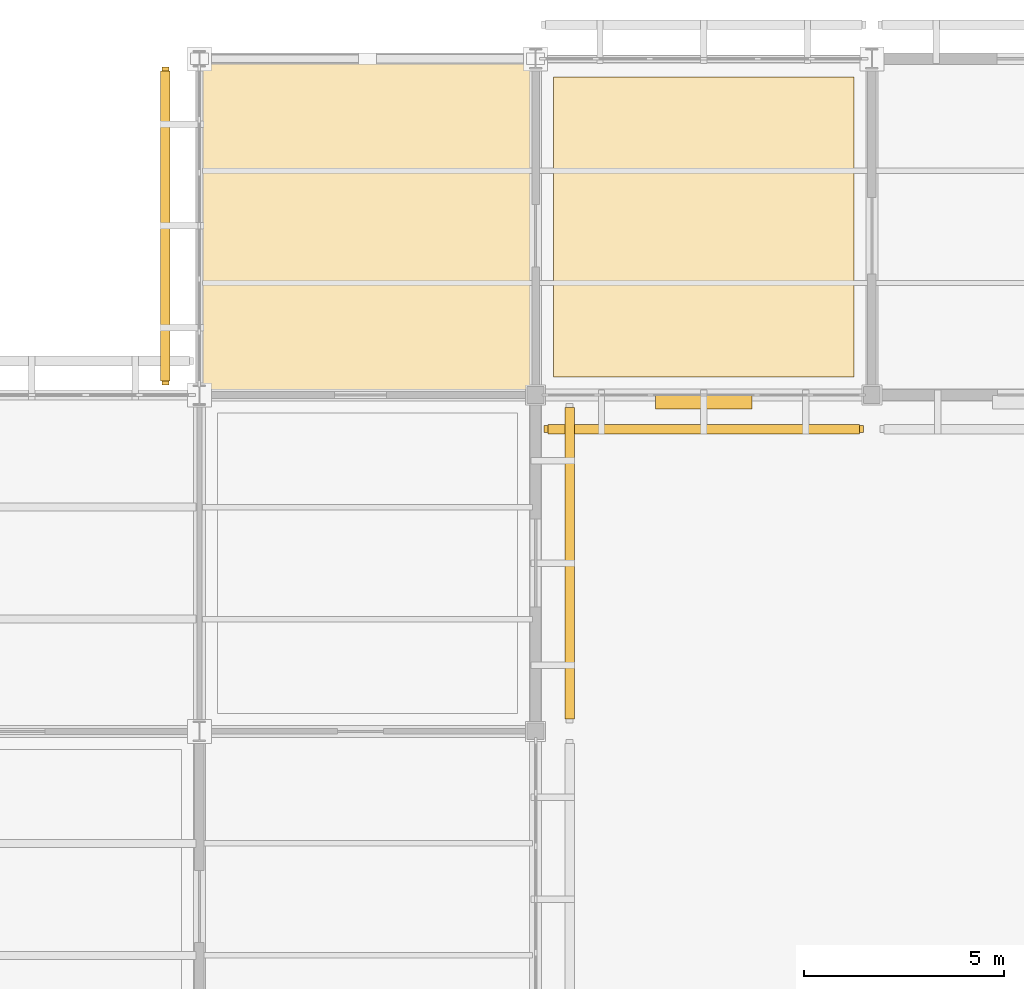
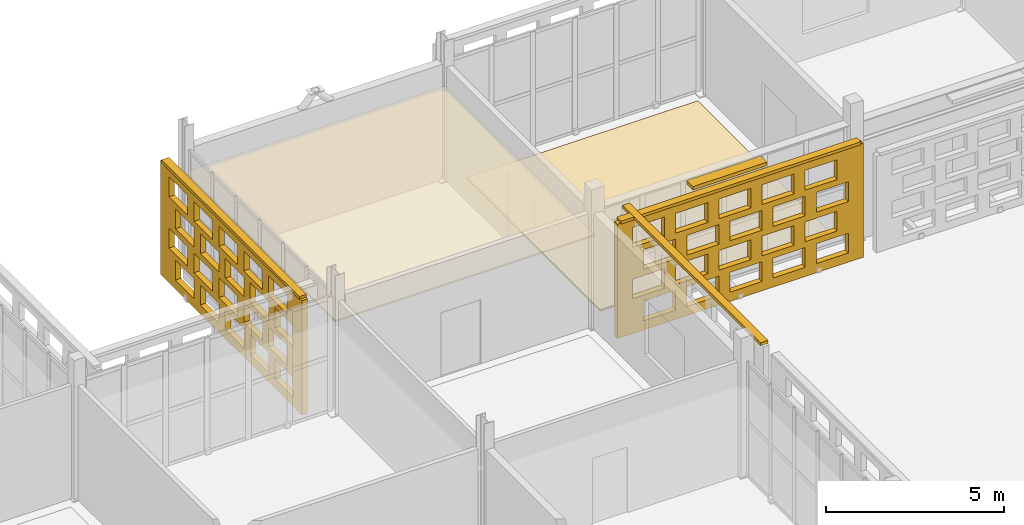
# One storey, part 168 of 203: 4 coverings, 4 shading devices, 40 openings.
"""IFC4 building model written with IfcOpenShell, lengths in metres."""

from ifc_helpers import new_model, si_unit, direction, frame, frame_2d, origin, origin_2d, place, context, subcontext, project, spatial, rectangle, extrude, material, layer, layer_set, type_object, element, save


model = new_model("IFC4")

# Units and contexts
model_context = context("Model", 3, precision=1e-05, world=origin(), true_north=direction((0.0, 1.0)))
body_context = subcontext(model_context, "Body", "Model", "MODEL_VIEW")
ifc_project = project(units=[si_unit("LENGTHUNIT", "METRE"), si_unit("AREAUNIT", "SQUARE_METRE"), si_unit("VOLUMEUNIT", "CUBIC_METRE"), si_unit("PLANEANGLEUNIT", "RADIAN"), si_unit("MASSUNIT", "GRAM", prefix="KILO")], contexts=[model_context])

# Site, building, storey
site_placement = place(None, origin())
site = spatial("IfcSite", under=ifc_project, at=site_placement, CompositionType="ELEMENT")
building_placement = place(site_placement, origin())
building = spatial("IfcBuilding", under=site, at=building_placement, Name="Varnapada Polytechnic", CompositionType="ELEMENT")
storey_placement = place(building_placement, frame((0.0, 0.0, 4.800048828125)))
storey = spatial("IfcBuildingStorey", under=building, at=storey_placement, Name="L01", CompositionType="ELEMENT", Elevation=4.800048828125)

# Covering
ifc_material_1 = material(Name="Anti-Static Raised Laboratory Flooring")
ifc_layer_1 = layer(ifc_material_1, 0.06005859375)
ifc_layer_set_1 = layer_set([ifc_layer_1], Name="Anti-Static Raised Laboratory Flooring")
covering_type_1 = type_object("IfcCoveringType", Name="Floor Finish FLR-02", PredefinedType="FLOORING", material=ifc_layer_set_1)
covering_1_placement = place(storey_placement, frame((63.0, 121.800048828125, 0.0), z_axis=(0.0, 0.0, 1.0), x_axis=(1.0, 0.0, 0.0)))
element("IfcCovering", 1, at=covering_1_placement, inside=storey, type_object=covering_type_1, Name="L01 floor finish panel (8,15)", PredefinedType="FLOORING", context=body_context, shape_type="SweptSolid", body=[
    extrude(rectangle(XDim=7.5, YDim=7.5, at=origin_2d()), origin(), (0.0, 0.0, 1.0), 0.06005859375),
])

# Shading device
ifc_material_2 = material(Name="Anodised aluminium", Category="aluminium")
ifc_layer_2 = layer(ifc_material_2, 0.35009765625)
ifc_layer_set_2 = layer_set([ifc_layer_2], Name="Anodised aluminium")
shading_device_type_1 = type_object("IfcShadingDeviceType", Name="Solar Louvre LVR-01", PredefinedType="JALOUSIE", material=ifc_layer_set_2)
shading_device_1_placement = place(storey_placement, frame((63.0, 117.419921875, 3.760009765625), z_axis=(0.0, 0.0, 1.0), x_axis=(-1.0, 0.0, 0.0)))
element("IfcShadingDevice", 2, at=shading_device_1_placement, inside=storey, type_object=shading_device_type_1, Name="L01 aluminium sun louvre 58", PredefinedType="JALOUSIE", context=body_context, shape_type="SweptSolid", body=[
    extrude(rectangle(XDim=2.39990234375, YDim=0.340087890625, at=origin_2d()), origin(), (0.0, 0.0, 1.0), 0.1201171875),
])

# Covering
ifc_material_3 = material(Name="Micro-Perforated Gypsum Acoustic Ceiling")
ifc_layer_3 = layer(ifc_material_3, 0.044921875)
ifc_layer_set_3 = layer_set([ifc_layer_3], Name="Micro-Perforated Gypsum Acoustic Ceiling")
covering_type_2 = type_object("IfcCoveringType", Name="Suspended Ceiling CLG-04", PredefinedType="CEILING", material=ifc_layer_set_3)
covering_2_placement = place(storey_placement, frame((54.60009765625, 121.800048828125, 3.027587890625), z_axis=(0.0, 0.0, 1.0), x_axis=(1.0, 0.0, 0.0)))
element("IfcCovering", 3, at=covering_2_placement, inside=storey, type_object=covering_type_2, Name="L01 suspended acoustic ceiling (7,15)", PredefinedType="CEILING", context=body_context, shape_type="SweptSolid", body=[
    extrude(rectangle(XDim=8.419921875, YDim=8.419921875, at=origin_2d()), origin(), (0.0, 0.0, 1.0), 0.044921875),
])

# Covering, openings
ifc_material_4 = material(Name="Earth-toned architectural terracotta screen block", Category="masonry")
ifc_layer_4 = layer(ifc_material_4, 0.1201171875)
ifc_layer_set_4 = layer_set([ifc_layer_4], Name="Earth-toned architectural terracotta screen block")
covering_type_3 = type_object("IfcCoveringType", Name="Terracotta Screen Cladding CLD-01", PredefinedType="CLADDING", material=ifc_layer_set_4)
covering_3_placement = place(storey_placement, frame((49.550048828125, 117.85009765625, 0.0), z_axis=(0.0, 0.0, 1.0), x_axis=(0.0, 1.0, 0.0)))
covering_3 = element("IfcCovering", 4, at=covering_3_placement, inside=storey, type_object=covering_type_3, Name="L01 perforated terracotta block screen (53)", PredefinedType="CLADDING", context=body_context, shape_type="SweptSolid", body=[
    extrude(rectangle(XDim=7.949951171875, YDim=0.179931640625, at=frame_2d((3.97509765625, 0.0))), origin(), (0.0, 0.0, 1.0), 3.919921875),
])
opening_1_placement = place(covering_3_placement, frame((0.47509765625, 0.0, 0.313720703125)))
element("IfcOpeningElement", 5, at=opening_1_placement, cuts=covering_3, Name="Screen perforation TBS-L01-052.1", PredefinedType="OPENING", context=body_context, shape_type="SweptSolid", body=[
    extrude(rectangle(XDim=1.0400390625, YDim=0.679931640625, at=frame_2d((0.52001953125, 0.33984375))), frame((0.0, 0.099853515625, 0.0), z_axis=(0.0, -1.0, 0.0), x_axis=(1.0, 0.0, 0.0)), (0.0, 0.0, 1.0), 0.199951171875),
])
opening_2_placement = place(covering_3_placement, frame((1.875, 0.0, 0.313720703125)))
element("IfcOpeningElement", 6, at=opening_2_placement, cuts=covering_3, Name="Screen perforation TBS-L01-052.2", PredefinedType="OPENING", context=body_context, shape_type="SweptSolid", body=[
    extrude(rectangle(XDim=1.0400390625, YDim=0.679931640625, at=frame_2d((0.52001953125, 0.33984375))), frame((0.0, 0.099853515625, 0.0), z_axis=(0.0, -1.0, 0.0), x_axis=(1.0, 0.0, 0.0)), (0.0, 0.0, 1.0), 0.199951171875),
])
opening_3_placement = place(covering_3_placement, frame((3.27490234375, 0.0, 0.313720703125)))
element("IfcOpeningElement", 7, at=opening_3_placement, cuts=covering_3, Name="Screen perforation TBS-L01-052.3", PredefinedType="OPENING", context=body_context, shape_type="SweptSolid", body=[
    extrude(rectangle(XDim=1.0400390625, YDim=0.679931640625, at=frame_2d((0.52001953125, 0.33984375))), frame((0.0, 0.099853515625, 0.0), z_axis=(0.0, -1.0, 0.0), x_axis=(1.0, 0.0, 0.0)), (0.0, 0.0, 1.0), 0.199951171875),
])
opening_4_placement = place(covering_3_placement, frame((4.675048828125, 0.0, 0.313720703125)))
element("IfcOpeningElement", 8, at=opening_4_placement, cuts=covering_3, Name="Screen perforation TBS-L01-052.4", PredefinedType="OPENING", context=body_context, shape_type="SweptSolid", body=[
    extrude(rectangle(XDim=1.0400390625, YDim=0.679931640625, at=frame_2d((0.52001953125, 0.33984375))), frame((0.0, 0.099853515625, 0.0), z_axis=(0.0, -1.0, 0.0), x_axis=(1.0, 0.0, 0.0)), (0.0, 0.0, 1.0), 0.199951171875),
])
opening_5_placement = place(covering_3_placement, frame((6.074951171875, 0.0, 0.313720703125)))
element("IfcOpeningElement", 9, at=opening_5_placement, cuts=covering_3, Name="Screen perforation TBS-L01-052.5", PredefinedType="OPENING", context=body_context, shape_type="SweptSolid", body=[
    extrude(rectangle(XDim=1.0400390625, YDim=0.679931640625, at=frame_2d((0.52001953125, 0.33984375))), frame((0.0, 0.099853515625, 0.0), z_axis=(0.0, -1.0, 0.0), x_axis=(1.0, 0.0, 0.0)), (0.0, 0.0, 1.0), 0.199951171875),
])
opening_6_placement = place(covering_3_placement, frame((0.8349609375, 0.0, 1.195556640625)))
element("IfcOpeningElement", 10, at=opening_6_placement, cuts=covering_3, Name="Screen perforation TBS-L01-052.6", PredefinedType="OPENING", context=body_context, shape_type="SweptSolid", body=[
    extrude(rectangle(XDim=1.0400390625, YDim=0.679931640625, at=frame_2d((0.52001953125, 0.33984375))), frame((0.0, 0.099853515625, 0.0), z_axis=(0.0, -1.0, 0.0), x_axis=(1.0, 0.0, 0.0)), (0.0, 0.0, 1.0), 0.199951171875),
])
opening_7_placement = place(covering_3_placement, frame((2.235107421875, 0.0, 1.195556640625)))
element("IfcOpeningElement", 11, at=opening_7_placement, cuts=covering_3, Name="Screen perforation TBS-L01-052.7", PredefinedType="OPENING", context=body_context, shape_type="SweptSolid", body=[
    extrude(rectangle(XDim=1.0400390625, YDim=0.679931640625, at=frame_2d((0.52001953125, 0.33984375))), frame((0.0, 0.099853515625, 0.0), z_axis=(0.0, -1.0, 0.0), x_axis=(1.0, 0.0, 0.0)), (0.0, 0.0, 1.0), 0.199951171875),
])
opening_8_placement = place(covering_3_placement, frame((3.635009765625, 0.0, 1.195556640625)))
element("IfcOpeningElement", 12, at=opening_8_placement, cuts=covering_3, Name="Screen perforation TBS-L01-052.8", PredefinedType="OPENING", context=body_context, shape_type="SweptSolid", body=[
    extrude(rectangle(XDim=1.0400390625, YDim=0.679931640625, at=frame_2d((0.52001953125, 0.33984375))), frame((0.0, 0.099853515625, 0.0), z_axis=(0.0, -1.0, 0.0), x_axis=(1.0, 0.0, 0.0)), (0.0, 0.0, 1.0), 0.199951171875),
])
opening_9_placement = place(covering_3_placement, frame((5.034912109375, 0.0, 1.195556640625)))
element("IfcOpeningElement", 13, at=opening_9_placement, cuts=covering_3, Name="Screen perforation TBS-L01-052.9", PredefinedType="OPENING", context=body_context, shape_type="SweptSolid", body=[
    extrude(rectangle(XDim=1.0400390625, YDim=0.679931640625, at=frame_2d((0.52001953125, 0.33984375))), frame((0.0, 0.099853515625, 0.0), z_axis=(0.0, -1.0, 0.0), x_axis=(1.0, 0.0, 0.0)), (0.0, 0.0, 1.0), 0.199951171875),
])
opening_10_placement = place(covering_3_placement, frame((6.43505859375, 0.0, 1.195556640625)))
element("IfcOpeningElement", 14, at=opening_10_placement, cuts=covering_3, Name="Screen perforation TBS-L01-052.10", PredefinedType="OPENING", context=body_context, shape_type="SweptSolid", body=[
    extrude(rectangle(XDim=1.0400390625, YDim=0.679931640625, at=frame_2d((0.52001953125, 0.33984375))), frame((0.0, 0.099853515625, 0.0), z_axis=(0.0, -1.0, 0.0), x_axis=(1.0, 0.0, 0.0)), (0.0, 0.0, 1.0), 0.199951171875),
])
opening_11_placement = place(covering_3_placement, frame((0.47509765625, 0.0, 2.07763671875)))
element("IfcOpeningElement", 15, at=opening_11_placement, cuts=covering_3, Name="Screen perforation TBS-L01-052.11", PredefinedType="OPENING", context=body_context, shape_type="SweptSolid", body=[
    extrude(rectangle(XDim=1.0400390625, YDim=0.679931640625, at=frame_2d((0.52001953125, 0.33984375))), frame((0.0, 0.099853515625, 0.0), z_axis=(0.0, -1.0, 0.0), x_axis=(1.0, 0.0, 0.0)), (0.0, 0.0, 1.0), 0.199951171875),
])
opening_12_placement = place(covering_3_placement, frame((1.875, 0.0, 2.07763671875)))
element("IfcOpeningElement", 16, at=opening_12_placement, cuts=covering_3, Name="Screen perforation TBS-L01-052.12", PredefinedType="OPENING", context=body_context, shape_type="SweptSolid", body=[
    extrude(rectangle(XDim=1.0400390625, YDim=0.679931640625, at=frame_2d((0.52001953125, 0.33984375))), frame((0.0, 0.099853515625, 0.0), z_axis=(0.0, -1.0, 0.0), x_axis=(1.0, 0.0, 0.0)), (0.0, 0.0, 1.0), 0.199951171875),
])
opening_13_placement = place(covering_3_placement, frame((3.27490234375, 0.0, 2.07763671875)))
element("IfcOpeningElement", 17, at=opening_13_placement, cuts=covering_3, Name="Screen perforation TBS-L01-052.13", PredefinedType="OPENING", context=body_context, shape_type="SweptSolid", body=[
    extrude(rectangle(XDim=1.0400390625, YDim=0.679931640625, at=frame_2d((0.52001953125, 0.33984375))), frame((0.0, 0.099853515625, 0.0), z_axis=(0.0, -1.0, 0.0), x_axis=(1.0, 0.0, 0.0)), (0.0, 0.0, 1.0), 0.199951171875),
])
opening_14_placement = place(covering_3_placement, frame((4.675048828125, 0.0, 2.07763671875)))
element("IfcOpeningElement", 18, at=opening_14_placement, cuts=covering_3, Name="Screen perforation TBS-L01-052.14", PredefinedType="OPENING", context=body_context, shape_type="SweptSolid", body=[
    extrude(rectangle(XDim=1.0400390625, YDim=0.679931640625, at=frame_2d((0.52001953125, 0.33984375))), frame((0.0, 0.099853515625, 0.0), z_axis=(0.0, -1.0, 0.0), x_axis=(1.0, 0.0, 0.0)), (0.0, 0.0, 1.0), 0.199951171875),
])
opening_15_placement = place(covering_3_placement, frame((6.074951171875, 0.0, 2.07763671875)))
element("IfcOpeningElement", 19, at=opening_15_placement, cuts=covering_3, Name="Screen perforation TBS-L01-052.15", PredefinedType="OPENING", context=body_context, shape_type="SweptSolid", body=[
    extrude(rectangle(XDim=1.0400390625, YDim=0.679931640625, at=frame_2d((0.52001953125, 0.33984375))), frame((0.0, 0.099853515625, 0.0), z_axis=(0.0, -1.0, 0.0), x_axis=(1.0, 0.0, 0.0)), (0.0, 0.0, 1.0), 0.199951171875),
])
opening_16_placement = place(covering_3_placement, frame((0.8349609375, 0.0, 2.959716796875)))
element("IfcOpeningElement", 20, at=opening_16_placement, cuts=covering_3, Name="Screen perforation TBS-L01-052.16", PredefinedType="OPENING", context=body_context, shape_type="SweptSolid", body=[
    extrude(rectangle(XDim=1.0400390625, YDim=0.679931640625, at=frame_2d((0.52001953125, 0.33984375))), frame((0.0, 0.099853515625, 0.0), z_axis=(0.0, -1.0, 0.0), x_axis=(1.0, 0.0, 0.0)), (0.0, 0.0, 1.0), 0.199951171875),
])
opening_17_placement = place(covering_3_placement, frame((2.235107421875, 0.0, 2.959716796875)))
element("IfcOpeningElement", 21, at=opening_17_placement, cuts=covering_3, Name="Screen perforation TBS-L01-052.17", PredefinedType="OPENING", context=body_context, shape_type="SweptSolid", body=[
    extrude(rectangle(XDim=1.0400390625, YDim=0.679931640625, at=frame_2d((0.52001953125, 0.33984375))), frame((0.0, 0.099853515625, 0.0), z_axis=(0.0, -1.0, 0.0), x_axis=(1.0, 0.0, 0.0)), (0.0, 0.0, 1.0), 0.199951171875),
])
opening_18_placement = place(covering_3_placement, frame((3.635009765625, 0.0, 2.959716796875)))
element("IfcOpeningElement", 22, at=opening_18_placement, cuts=covering_3, Name="Screen perforation TBS-L01-052.18", PredefinedType="OPENING", context=body_context, shape_type="SweptSolid", body=[
    extrude(rectangle(XDim=1.0400390625, YDim=0.679931640625, at=frame_2d((0.52001953125, 0.33984375))), frame((0.0, 0.099853515625, 0.0), z_axis=(0.0, -1.0, 0.0), x_axis=(1.0, 0.0, 0.0)), (0.0, 0.0, 1.0), 0.199951171875),
])
opening_19_placement = place(covering_3_placement, frame((5.034912109375, 0.0, 2.959716796875)))
element("IfcOpeningElement", 23, at=opening_19_placement, cuts=covering_3, Name="Screen perforation TBS-L01-052.19", PredefinedType="OPENING", context=body_context, shape_type="SweptSolid", body=[
    extrude(rectangle(XDim=1.0400390625, YDim=0.679931640625, at=frame_2d((0.52001953125, 0.33984375))), frame((0.0, 0.099853515625, 0.0), z_axis=(0.0, -1.0, 0.0), x_axis=(1.0, 0.0, 0.0)), (0.0, 0.0, 1.0), 0.199951171875),
])
opening_20_placement = place(covering_3_placement, frame((6.43505859375, 0.0, 2.959716796875)))
element("IfcOpeningElement", 24, at=opening_20_placement, cuts=covering_3, Name="Screen perforation TBS-L01-052.20", PredefinedType="OPENING", context=body_context, shape_type="SweptSolid", body=[
    extrude(rectangle(XDim=1.0400390625, YDim=0.679931640625, at=frame_2d((0.52001953125, 0.33984375))), frame((0.0, 0.099853515625, 0.0), z_axis=(0.0, -1.0, 0.0), x_axis=(1.0, 0.0, 0.0)), (0.0, 0.0, 1.0), 0.199951171875),
])

covering_4_placement = place(storey_placement, frame((66.989990234375, 116.75, 0.0), z_axis=(0.0, 0.0, 1.0), x_axis=(-1.0, 0.0, 0.0)))
covering_4 = element("IfcCovering", 25, at=covering_4_placement, inside=storey, type_object=covering_type_3, Name="L01 perforated terracotta block screen (58)", PredefinedType="CLADDING", context=body_context, shape_type="SweptSolid", body=[
    extrude(rectangle(XDim=7.97998046875, YDim=0.179931640625, at=frame_2d((3.989990234375, 0.0))), origin(), (0.0, 0.0, 1.0), 3.919921875),
])
opening_21_placement = place(covering_4_placement, frame((0.489990234375, 0.0, 0.313720703125)))
element("IfcOpeningElement", 26, at=opening_21_placement, cuts=covering_4, Name="Screen perforation TBS-L01-057.1", PredefinedType="OPENING", context=body_context, shape_type="SweptSolid", body=[
    extrude(rectangle(XDim=1.0400390625, YDim=0.679931640625, at=frame_2d((0.52001953125, 0.33984375))), frame((0.0, 0.099853515625, 0.0), z_axis=(0.0, -1.0, 0.0), x_axis=(1.0, 0.0, 0.0)), (0.0, 0.0, 1.0), 0.199951171875),
])
opening_22_placement = place(covering_4_placement, frame((1.889892578125, 0.0, 0.313720703125)))
element("IfcOpeningElement", 27, at=opening_22_placement, cuts=covering_4, Name="Screen perforation TBS-L01-057.2", PredefinedType="OPENING", context=body_context, shape_type="SweptSolid", body=[
    extrude(rectangle(XDim=1.0400390625, YDim=0.679931640625, at=frame_2d((0.52001953125, 0.33984375))), frame((0.0, 0.099853515625, 0.0), z_axis=(0.0, -1.0, 0.0), x_axis=(1.0, 0.0, 0.0)), (0.0, 0.0, 1.0), 0.199951171875),
])
opening_23_placement = place(covering_4_placement, frame((3.2900390625, 0.0, 0.313720703125)))
element("IfcOpeningElement", 28, at=opening_23_placement, cuts=covering_4, Name="Screen perforation TBS-L01-057.3", PredefinedType="OPENING", context=body_context, shape_type="SweptSolid", body=[
    extrude(rectangle(XDim=1.0400390625, YDim=0.679931640625, at=frame_2d((0.52001953125, 0.33984375))), frame((0.0, 0.099853515625, 0.0), z_axis=(0.0, -1.0, 0.0), x_axis=(1.0, 0.0, 0.0)), (0.0, 0.0, 1.0), 0.199951171875),
])
opening_24_placement = place(covering_4_placement, frame((4.68994140625, 0.0, 0.313720703125)))
element("IfcOpeningElement", 29, at=opening_24_placement, cuts=covering_4, Name="Screen perforation TBS-L01-057.4", PredefinedType="OPENING", context=body_context, shape_type="SweptSolid", body=[
    extrude(rectangle(XDim=1.0400390625, YDim=0.679931640625, at=frame_2d((0.52001953125, 0.33984375))), frame((0.0, 0.099853515625, 0.0), z_axis=(0.0, -1.0, 0.0), x_axis=(1.0, 0.0, 0.0)), (0.0, 0.0, 1.0), 0.199951171875),
])
opening_25_placement = place(covering_4_placement, frame((6.090087890625, 0.0, 0.313720703125)))
element("IfcOpeningElement", 30, at=opening_25_placement, cuts=covering_4, Name="Screen perforation TBS-L01-057.5", PredefinedType="OPENING", context=body_context, shape_type="SweptSolid", body=[
    extrude(rectangle(XDim=1.0400390625, YDim=0.679931640625, at=frame_2d((0.52001953125, 0.33984375))), frame((0.0, 0.099853515625, 0.0), z_axis=(0.0, -1.0, 0.0), x_axis=(1.0, 0.0, 0.0)), (0.0, 0.0, 1.0), 0.199951171875),
])
opening_26_placement = place(covering_4_placement, frame((0.85009765625, 0.0, 1.195556640625)))
element("IfcOpeningElement", 31, at=opening_26_placement, cuts=covering_4, Name="Screen perforation TBS-L01-057.6", PredefinedType="OPENING", context=body_context, shape_type="SweptSolid", body=[
    extrude(rectangle(XDim=1.0400390625, YDim=0.679931640625, at=frame_2d((0.52001953125, 0.33984375))), frame((0.0, 0.099853515625, 0.0), z_axis=(0.0, -1.0, 0.0), x_axis=(1.0, 0.0, 0.0)), (0.0, 0.0, 1.0), 0.199951171875),
])
opening_27_placement = place(covering_4_placement, frame((2.25, 0.0, 1.195556640625)))
element("IfcOpeningElement", 32, at=opening_27_placement, cuts=covering_4, Name="Screen perforation TBS-L01-057.7", PredefinedType="OPENING", context=body_context, shape_type="SweptSolid", body=[
    extrude(rectangle(XDim=1.0400390625, YDim=0.679931640625, at=frame_2d((0.52001953125, 0.33984375))), frame((0.0, 0.099853515625, 0.0), z_axis=(0.0, -1.0, 0.0), x_axis=(1.0, 0.0, 0.0)), (0.0, 0.0, 1.0), 0.199951171875),
])
opening_28_placement = place(covering_4_placement, frame((3.64990234375, 0.0, 1.195556640625)))
element("IfcOpeningElement", 33, at=opening_28_placement, cuts=covering_4, Name="Screen perforation TBS-L01-057.8", PredefinedType="OPENING", context=body_context, shape_type="SweptSolid", body=[
    extrude(rectangle(XDim=1.0400390625, YDim=0.679931640625, at=frame_2d((0.52001953125, 0.33984375))), frame((0.0, 0.099853515625, 0.0), z_axis=(0.0, -1.0, 0.0), x_axis=(1.0, 0.0, 0.0)), (0.0, 0.0, 1.0), 0.199951171875),
])
opening_29_placement = place(covering_4_placement, frame((5.050048828125, 0.0, 1.195556640625)))
element("IfcOpeningElement", 34, at=opening_29_placement, cuts=covering_4, Name="Screen perforation TBS-L01-057.9", PredefinedType="OPENING", context=body_context, shape_type="SweptSolid", body=[
    extrude(rectangle(XDim=1.0400390625, YDim=0.679931640625, at=frame_2d((0.52001953125, 0.33984375))), frame((0.0, 0.099853515625, 0.0), z_axis=(0.0, -1.0, 0.0), x_axis=(1.0, 0.0, 0.0)), (0.0, 0.0, 1.0), 0.199951171875),
])
opening_30_placement = place(covering_4_placement, frame((6.449951171875, 0.0, 1.195556640625)))
element("IfcOpeningElement", 35, at=opening_30_placement, cuts=covering_4, Name="Screen perforation TBS-L01-057.10", PredefinedType="OPENING", context=body_context, shape_type="SweptSolid", body=[
    extrude(rectangle(XDim=1.0400390625, YDim=0.679931640625, at=frame_2d((0.52001953125, 0.33984375))), frame((0.0, 0.099853515625, 0.0), z_axis=(0.0, -1.0, 0.0), x_axis=(1.0, 0.0, 0.0)), (0.0, 0.0, 1.0), 0.199951171875),
])
opening_31_placement = place(covering_4_placement, frame((0.489990234375, 0.0, 2.07763671875)))
element("IfcOpeningElement", 36, at=opening_31_placement, cuts=covering_4, Name="Screen perforation TBS-L01-057.11", PredefinedType="OPENING", context=body_context, shape_type="SweptSolid", body=[
    extrude(rectangle(XDim=1.0400390625, YDim=0.679931640625, at=frame_2d((0.52001953125, 0.33984375))), frame((0.0, 0.099853515625, 0.0), z_axis=(0.0, -1.0, 0.0), x_axis=(1.0, 0.0, 0.0)), (0.0, 0.0, 1.0), 0.199951171875),
])
opening_32_placement = place(covering_4_placement, frame((1.889892578125, 0.0, 2.07763671875)))
element("IfcOpeningElement", 37, at=opening_32_placement, cuts=covering_4, Name="Screen perforation TBS-L01-057.12", PredefinedType="OPENING", context=body_context, shape_type="SweptSolid", body=[
    extrude(rectangle(XDim=1.0400390625, YDim=0.679931640625, at=frame_2d((0.52001953125, 0.33984375))), frame((0.0, 0.099853515625, 0.0), z_axis=(0.0, -1.0, 0.0), x_axis=(1.0, 0.0, 0.0)), (0.0, 0.0, 1.0), 0.199951171875),
])
opening_33_placement = place(covering_4_placement, frame((3.2900390625, 0.0, 2.07763671875)))
element("IfcOpeningElement", 38, at=opening_33_placement, cuts=covering_4, Name="Screen perforation TBS-L01-057.13", PredefinedType="OPENING", context=body_context, shape_type="SweptSolid", body=[
    extrude(rectangle(XDim=1.0400390625, YDim=0.679931640625, at=frame_2d((0.52001953125, 0.33984375))), frame((0.0, 0.099853515625, 0.0), z_axis=(0.0, -1.0, 0.0), x_axis=(1.0, 0.0, 0.0)), (0.0, 0.0, 1.0), 0.199951171875),
])
opening_34_placement = place(covering_4_placement, frame((4.68994140625, 0.0, 2.07763671875)))
element("IfcOpeningElement", 39, at=opening_34_placement, cuts=covering_4, Name="Screen perforation TBS-L01-057.14", PredefinedType="OPENING", context=body_context, shape_type="SweptSolid", body=[
    extrude(rectangle(XDim=1.0400390625, YDim=0.679931640625, at=frame_2d((0.52001953125, 0.33984375))), frame((0.0, 0.099853515625, 0.0), z_axis=(0.0, -1.0, 0.0), x_axis=(1.0, 0.0, 0.0)), (0.0, 0.0, 1.0), 0.199951171875),
])
opening_35_placement = place(covering_4_placement, frame((6.090087890625, 0.0, 2.07763671875)))
element("IfcOpeningElement", 40, at=opening_35_placement, cuts=covering_4, Name="Screen perforation TBS-L01-057.15", PredefinedType="OPENING", context=body_context, shape_type="SweptSolid", body=[
    extrude(rectangle(XDim=1.0400390625, YDim=0.679931640625, at=frame_2d((0.52001953125, 0.33984375))), frame((0.0, 0.099853515625, 0.0), z_axis=(0.0, -1.0, 0.0), x_axis=(1.0, 0.0, 0.0)), (0.0, 0.0, 1.0), 0.199951171875),
])
opening_36_placement = place(covering_4_placement, frame((0.85009765625, 0.0, 2.959716796875)))
element("IfcOpeningElement", 41, at=opening_36_placement, cuts=covering_4, Name="Screen perforation TBS-L01-057.16", PredefinedType="OPENING", context=body_context, shape_type="SweptSolid", body=[
    extrude(rectangle(XDim=1.0400390625, YDim=0.679931640625, at=frame_2d((0.52001953125, 0.33984375))), frame((0.0, 0.099853515625, 0.0), z_axis=(0.0, -1.0, 0.0), x_axis=(1.0, 0.0, 0.0)), (0.0, 0.0, 1.0), 0.199951171875),
])
opening_37_placement = place(covering_4_placement, frame((2.25, 0.0, 2.959716796875)))
element("IfcOpeningElement", 42, at=opening_37_placement, cuts=covering_4, Name="Screen perforation TBS-L01-057.17", PredefinedType="OPENING", context=body_context, shape_type="SweptSolid", body=[
    extrude(rectangle(XDim=1.0400390625, YDim=0.679931640625, at=frame_2d((0.52001953125, 0.33984375))), frame((0.0, 0.099853515625, 0.0), z_axis=(0.0, -1.0, 0.0), x_axis=(1.0, 0.0, 0.0)), (0.0, 0.0, 1.0), 0.199951171875),
])
opening_38_placement = place(covering_4_placement, frame((3.64990234375, 0.0, 2.959716796875)))
element("IfcOpeningElement", 43, at=opening_38_placement, cuts=covering_4, Name="Screen perforation TBS-L01-057.18", PredefinedType="OPENING", context=body_context, shape_type="SweptSolid", body=[
    extrude(rectangle(XDim=1.0400390625, YDim=0.679931640625, at=frame_2d((0.52001953125, 0.33984375))), frame((0.0, 0.099853515625, 0.0), z_axis=(0.0, -1.0, 0.0), x_axis=(1.0, 0.0, 0.0)), (0.0, 0.0, 1.0), 0.199951171875),
])
opening_39_placement = place(covering_4_placement, frame((5.050048828125, 0.0, 2.959716796875)))
element("IfcOpeningElement", 44, at=opening_39_placement, cuts=covering_4, Name="Screen perforation TBS-L01-057.19", PredefinedType="OPENING", context=body_context, shape_type="SweptSolid", body=[
    extrude(rectangle(XDim=1.0400390625, YDim=0.679931640625, at=frame_2d((0.52001953125, 0.33984375))), frame((0.0, 0.099853515625, 0.0), z_axis=(0.0, -1.0, 0.0), x_axis=(1.0, 0.0, 0.0)), (0.0, 0.0, 1.0), 0.199951171875),
])
opening_40_placement = place(covering_4_placement, frame((6.449951171875, 0.0, 2.959716796875)))
element("IfcOpeningElement", 45, at=opening_40_placement, cuts=covering_4, Name="Screen perforation TBS-L01-057.20", PredefinedType="OPENING", context=body_context, shape_type="SweptSolid", body=[
    extrude(rectangle(XDim=1.0400390625, YDim=0.679931640625, at=frame_2d((0.52001953125, 0.33984375))), frame((0.0, 0.099853515625, 0.0), z_axis=(0.0, -1.0, 0.0), x_axis=(1.0, 0.0, 0.0)), (0.0, 0.0, 1.0), 0.199951171875),
])

# Shading devices
ifc_layer_5 = layer(ifc_material_4, 0.179931640625)
ifc_layer_set_5 = layer_set([ifc_layer_5], Name="Earth-toned architectural terracotta screen block")
shading_device_type_2 = type_object("IfcShadingDeviceType", Name="Terracotta Screen SCR-02", PredefinedType="USERDEFINED", material=ifc_layer_set_5)
shading_device_2_placement = place(storey_placement, frame((59.64990234375, 113.39990234375, 3.909912109375), z_axis=(0.0, 0.0, 1.0), x_axis=(0.0, -1.0, 0.0)))
element("IfcShadingDevice", 46, at=shading_device_2_placement, inside=storey, type_object=shading_device_type_2, Name="L01 perforated terracotta screen hood 131", ObjectType="SCREEN", PredefinedType="USERDEFINED", context=body_context, shape_type="SweptSolid", body=[
    extrude(rectangle(XDim=7.780029296875, YDim=0.239990234375, at=origin_2d()), origin(), (0.0, 0.0, 1.0), 0.10009765625),
])
shading_device_3_placement = place(storey_placement, frame((49.550048828125, 121.824951171875, 3.909912109375), z_axis=(0.0, 0.0, 1.0), x_axis=(0.0, 1.0, 0.0)))
element("IfcShadingDevice", 47, at=shading_device_3_placement, inside=storey, type_object=shading_device_type_2, Name="L01 perforated terracotta screen hood 132", ObjectType="SCREEN", PredefinedType="USERDEFINED", context=body_context, shape_type="SweptSolid", body=[
    extrude(rectangle(XDim=7.75, YDim=0.239990234375, at=origin_2d()), origin(), (0.0, 0.0, 1.0), 0.10009765625),
])
shading_device_4_placement = place(storey_placement, frame((63.0, 116.75, 3.909912109375), z_axis=(0.0, 0.0, 1.0), x_axis=(-1.0, 0.0, 0.0)))
element("IfcShadingDevice", 48, at=shading_device_4_placement, inside=storey, type_object=shading_device_type_2, Name="L01 perforated terracotta screen hood 137", ObjectType="SCREEN", PredefinedType="USERDEFINED", context=body_context, shape_type="SweptSolid", body=[
    extrude(rectangle(XDim=7.780029296875, YDim=0.239990234375, at=origin_2d()), origin(), (0.0, 0.0, 1.0), 0.10009765625),
])

save(model, "model.ifc")
